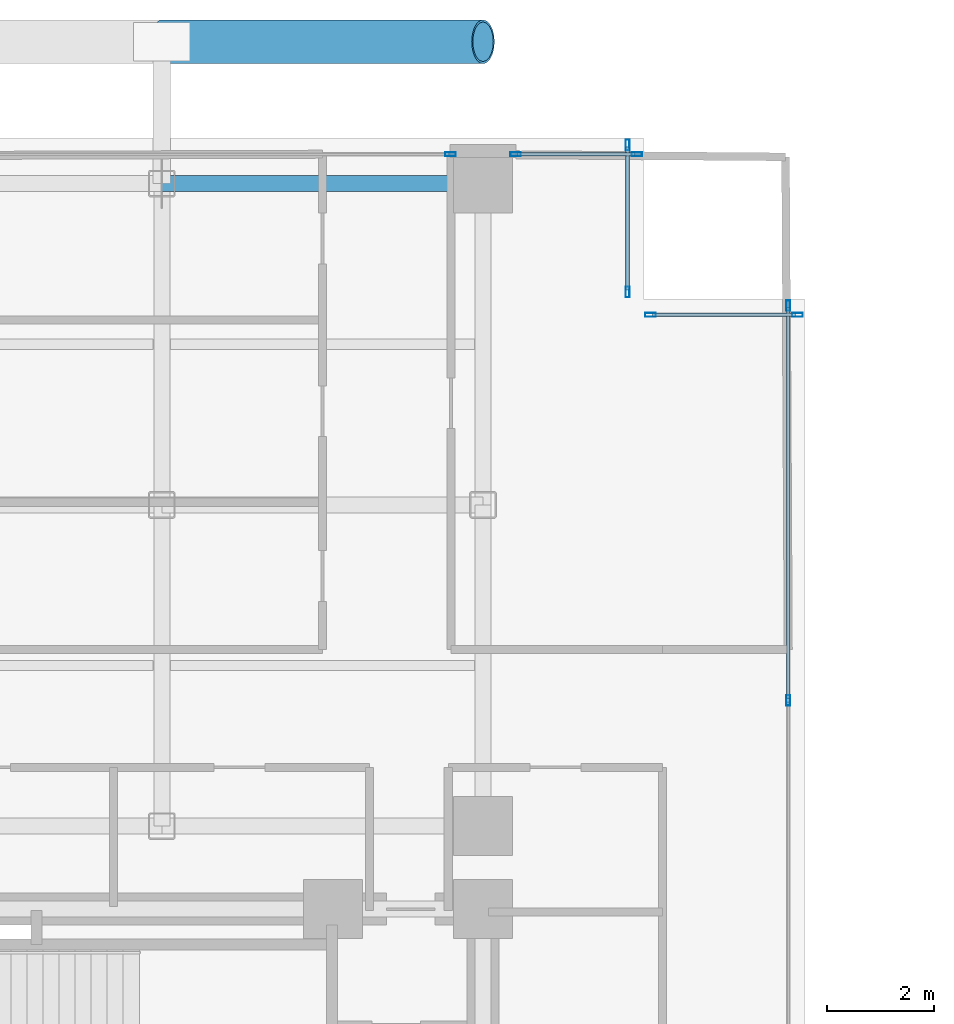
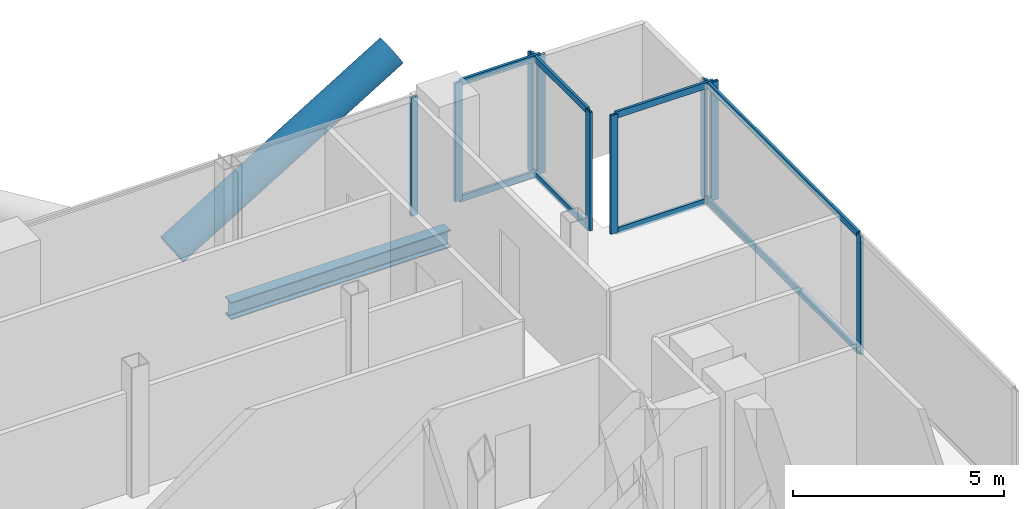
# One storey, part 16 of 24: 18 members, 1 beam, 5 elements without a shape of their own.
"""IFC4 building model written with IfcOpenShell, lengths in metres."""

from ifc_helpers import new_model, si_unit, direction, frame, origin, origin_2d, place, context, subcontext, project, spatial, hollow_rectangle, hollow_circle, i_section, extrude, material, layer, layer_set, material_profile, profile_set, type_object, element, aggregate, save


model = new_model("IFC4")

# Units and contexts
model_context = context("Model", 3, precision=1e-05, world=origin(), true_north=direction((0.0, 1.0)))
body_context = subcontext(model_context, "Body", "Model", "MODEL_VIEW")
ifc_project = project(units=[si_unit("LENGTHUNIT", "METRE"), si_unit("AREAUNIT", "SQUARE_METRE"), si_unit("VOLUMEUNIT", "CUBIC_METRE"), si_unit("PLANEANGLEUNIT", "RADIAN"), si_unit("MASSUNIT", "GRAM", prefix="KILO"), si_unit("THERMODYNAMICTEMPERATUREUNIT", "KELVIN"), si_unit("POWERUNIT", "WATT")], contexts=[model_context])

# Site, building, storey
site_placement = place(None, origin())
site = spatial("IfcSite", under=ifc_project, at=site_placement, CompositionType="ELEMENT")
building_placement = place(site_placement, origin())
building = spatial("IfcBuilding", under=site, at=building_placement, Name="Svarakhadi Broadcast Tower", CompositionType="ELEMENT")
storey_placement = place(building_placement, frame((0.0, 0.0, 160.64990234375)))
storey = spatial("IfcBuildingStorey", under=building, at=storey_placement, Name="L39", CompositionType="ELEMENT", Elevation=160.64990234375)

# Curtain wall, member
ifc_material_1 = material(Name="Anodised Bronze Aluminium AA 6063-T6", Category="aluminium")
ifc_layer = layer(ifc_material_1, 0.199951171875)
ifc_layer_set = layer_set([ifc_layer], Name="Anodised Bronze Aluminium AA 6063-T6")
curtain_wall_type = type_object("IfcCurtainWallType", Name="CW_Sys_03", PredefinedType="NOTDEFINED", material=ifc_layer_set)
curtain_wall_1_placement = place(storey_placement, origin())
curtain_wall_1 = element("IfcCurtainWall", 1, at=curtain_wall_1_placement, inside=storey, type_object=curtain_wall_type, Name="L39 Unitised Facade Curtain Wall 06 Bay 2", PredefinedType="NOTDEFINED")
ifc_material_profile_1 = material_profile(ifc_material_1, hollow_rectangle(XDim=0.074951171875, YDim=0.199951171875, WallThickness=0.005615234375, at=origin_2d()), Name="ALU MULLION 200x75x6")
ifc_profile_set_1 = profile_set([ifc_material_profile_1], Name="Anodised Bronze Aluminium AA 6063-T6")
member_type_1 = type_object("IfcMemberType", Name="CW_Sys_03_Mul", PredefinedType="MULLION", material=ifc_profile_set_1)
member_1_placement = place(storey_placement, frame((17.392578125, 41.699951171875, 0.0), z_axis=(0.0, 0.0, 1.0), x_axis=(0.0, 1.0, 0.0)))
member_1 = element("IfcMember", 2, at=member_1_placement, type_object=member_type_1, Name="CW-03 mullion 2", PredefinedType="MULLION", context=body_context, shape_type="SweptSolid", body=[
    extrude(hollow_rectangle(XDim=0.074951171875, YDim=0.199951171875, WallThickness=0.005615234375, at=origin_2d()), origin(), (0.0, 0.0, 1.0), 3.425048828125),
])
aggregate(curtain_wall_1, [member_1])

# Curtain wall, members
curtain_wall_2_placement = place(storey_placement, origin())
curtain_wall_2 = element("IfcCurtainWall", 3, at=curtain_wall_2_placement, inside=storey, type_object=curtain_wall_type, Name="L39 Unitised Facade Curtain Wall 06 Bay 3", PredefinedType="NOTDEFINED")
member_2_placement = place(storey_placement, frame((18.607421875, 41.699951171875, 0.0), z_axis=(0.0, 0.0, 1.0), x_axis=(0.0, 1.0, 0.0)))
member_2 = element("IfcMember", 4, at=member_2_placement, type_object=member_type_1, Name="CW-03 mullion 1", PredefinedType="MULLION", context=body_context, shape_type="SweptSolid", body=[
    extrude(hollow_rectangle(XDim=0.074951171875, YDim=0.199951171875, WallThickness=0.005615234375, at=origin_2d()), origin(), (0.0, 0.0, 1.0), 3.425048828125),
])
member_3_placement = place(storey_placement, frame((20.87255859375, 41.699951171875, 0.0), z_axis=(0.0, 0.0, 1.0), x_axis=(0.0, 1.0, 0.0)))
member_3 = element("IfcMember", 5, at=member_3_placement, type_object=member_type_1, Name="CW-03 mullion 2", PredefinedType="MULLION", context=body_context, shape_type="SweptSolid", body=[
    extrude(hollow_rectangle(XDim=0.074951171875, YDim=0.199951171875, WallThickness=0.005615234375, at=origin_2d()), origin(), (0.0, 0.0, 1.0), 3.425048828125),
])

curtain_wall_3_placement = place(storey_placement, origin())
curtain_wall_3 = element("IfcCurtainWall", 6, at=curtain_wall_3_placement, inside=storey, type_object=curtain_wall_type, Name="L39 Unitised Facade Curtain Wall 07", PredefinedType="NOTDEFINED")
member_4_placement = place(storey_placement, frame((20.699951171875, 41.87255859375, 0.0), z_axis=(0.0, 0.0, 1.0), x_axis=(1.0, 0.0, 0.0)))
member_4 = element("IfcMember", 7, at=member_4_placement, type_object=member_type_1, Name="CW-03 mullion 1", PredefinedType="MULLION", context=body_context, shape_type="SweptSolid", body=[
    extrude(hollow_rectangle(XDim=0.074951171875, YDim=0.199951171875, WallThickness=0.005615234375, at=origin_2d()), origin(), (0.0, 0.0, 1.0), 3.425048828125),
])
member_5_placement = place(storey_placement, frame((20.699951171875, 39.12744140625, 0.0), z_axis=(0.0, 0.0, 1.0), x_axis=(1.0, 0.0, 0.0)))
member_5 = element("IfcMember", 8, at=member_5_placement, type_object=member_type_1, Name="CW-03 mullion 2", PredefinedType="MULLION", context=body_context, shape_type="SweptSolid", body=[
    extrude(hollow_rectangle(XDim=0.074951171875, YDim=0.199951171875, WallThickness=0.005615234375, at=origin_2d()), origin(), (0.0, 0.0, 1.0), 3.425048828125),
])

curtain_wall_4_placement = place(storey_placement, origin())
curtain_wall_4 = element("IfcCurtainWall", 9, at=curtain_wall_4_placement, inside=storey, type_object=curtain_wall_type, Name="L39 Unitised Facade Curtain Wall 08", PredefinedType="NOTDEFINED")
member_6_placement = place(storey_placement, frame((21.12744140625, 38.699951171875, 0.0), z_axis=(0.0, 0.0, 1.0), x_axis=(0.0, 1.0, 0.0)))
member_6 = element("IfcMember", 10, at=member_6_placement, type_object=member_type_1, Name="CW-03 mullion 1", PredefinedType="MULLION", context=body_context, shape_type="SweptSolid", body=[
    extrude(hollow_rectangle(XDim=0.074951171875, YDim=0.199951171875, WallThickness=0.005615234375, at=origin_2d()), origin(), (0.0, 0.0, 1.0), 3.425048828125),
])
member_7_placement = place(storey_placement, frame((23.87255859375, 38.699951171875, 0.0), z_axis=(0.0, 0.0, 1.0), x_axis=(0.0, 1.0, 0.0)))
member_7 = element("IfcMember", 11, at=member_7_placement, type_object=member_type_1, Name="CW-03 mullion 2", PredefinedType="MULLION", context=body_context, shape_type="SweptSolid", body=[
    extrude(hollow_rectangle(XDim=0.074951171875, YDim=0.199951171875, WallThickness=0.005615234375, at=origin_2d()), origin(), (0.0, 0.0, 1.0), 3.425048828125),
])

curtain_wall_5_placement = place(storey_placement, origin())
curtain_wall_5 = element("IfcCurtainWall", 12, at=curtain_wall_5_placement, inside=storey, type_object=curtain_wall_type, Name="L39 Unitised Facade Curtain Wall 09", PredefinedType="NOTDEFINED")
member_8_placement = place(storey_placement, frame((23.699951171875, 38.87255859375, 0.0), z_axis=(0.0, 0.0, 1.0), x_axis=(1.0, 0.0, 0.0)))
member_8 = element("IfcMember", 13, at=member_8_placement, type_object=member_type_1, Name="CW-03 mullion 1", PredefinedType="MULLION", context=body_context, shape_type="SweptSolid", body=[
    extrude(hollow_rectangle(XDim=0.074951171875, YDim=0.199951171875, WallThickness=0.005615234375, at=origin_2d()), origin(), (0.0, 0.0, 1.0), 3.425048828125),
])
member_9_placement = place(storey_placement, frame((23.699951171875, 31.5, 0.0), z_axis=(0.0, 0.0, 1.0), x_axis=(1.0, 0.0, 0.0)))
member_9 = element("IfcMember", 14, at=member_9_placement, type_object=member_type_1, Name="CW-03 mullion 2", PredefinedType="MULLION", context=body_context, shape_type="SweptSolid", body=[
    extrude(hollow_rectangle(XDim=0.074951171875, YDim=0.199951171875, WallThickness=0.005615234375, at=origin_2d()), origin(), (0.0, 0.0, 1.0), 3.425048828125),
])

# Member
ifc_material_profile_2 = material_profile(ifc_material_1, hollow_rectangle(XDim=0.070068359375, YDim=0.18505859375, WallThickness=0.0048828125, at=origin_2d()), Name="ALU TRANSOM 185x70x5")
ifc_profile_set_2 = profile_set([ifc_material_profile_2], Name="Anodised Bronze Aluminium AA 6063-T6")
member_type_2 = type_object("IfcMemberType", Name="CW_Sys_03_Trn", PredefinedType="USERDEFINED", material=ifc_profile_set_2)
member_10_placement = place(storey_placement, frame((18.64501953125, 41.699951171875, 0.03515625), z_axis=(1.0, 0.0, 0.0), x_axis=(0.0, 1.0, 0.0)))
member_10 = element("IfcMember", 15, at=member_10_placement, type_object=member_type_2, Name="CW-03 transom 1.1", ObjectType="TRANSOM", PredefinedType="USERDEFINED", context=body_context, shape_type="SweptSolid", body=[
    extrude(hollow_rectangle(XDim=0.070068359375, YDim=0.18505859375, WallThickness=0.0048828125, at=origin_2d()), origin(), (0.0, 0.0, 1.0), 2.18994140625),
])

member_11_placement = place(storey_placement, frame((18.64501953125, 41.699951171875, 3.39013671875), z_axis=(1.0, 0.0, 0.0), x_axis=(0.0, 1.0, 0.0)))
member_11 = element("IfcMember", 16, at=member_11_placement, type_object=member_type_2, Name="CW-03 transom 1.2", ObjectType="TRANSOM", PredefinedType="USERDEFINED", context=body_context, shape_type="SweptSolid", body=[
    extrude(hollow_rectangle(XDim=0.070068359375, YDim=0.18505859375, WallThickness=0.0048828125, at=origin_2d()), origin(), (0.0, 0.0, 1.0), 2.18994140625),
])

aggregate(curtain_wall_2, [member_2, member_3, member_10, member_11])

member_12_placement = place(storey_placement, frame((20.699951171875, 41.8349609375, 0.03515625), z_axis=(0.0, -1.0, 0.0), x_axis=(1.0, 0.0, 0.0)))
member_12 = element("IfcMember", 17, at=member_12_placement, type_object=member_type_2, Name="CW-03 transom 1.1", ObjectType="TRANSOM", PredefinedType="USERDEFINED", context=body_context, shape_type="SweptSolid", body=[
    extrude(hollow_rectangle(XDim=0.070068359375, YDim=0.18505859375, WallThickness=0.0048828125, at=origin_2d()), origin(), (0.0, 0.0, 1.0), 2.669921875),
])

member_13_placement = place(storey_placement, frame((20.699951171875, 41.8349609375, 3.39013671875), z_axis=(0.0, -1.0, 0.0), x_axis=(1.0, 0.0, 0.0)))
member_13 = element("IfcMember", 18, at=member_13_placement, type_object=member_type_2, Name="CW-03 transom 1.2", ObjectType="TRANSOM", PredefinedType="USERDEFINED", context=body_context, shape_type="SweptSolid", body=[
    extrude(hollow_rectangle(XDim=0.070068359375, YDim=0.18505859375, WallThickness=0.0048828125, at=origin_2d()), origin(), (0.0, 0.0, 1.0), 2.669921875),
])

aggregate(curtain_wall_3, [member_4, member_5, member_12, member_13])

member_14_placement = place(storey_placement, frame((21.1650390625, 38.699951171875, 0.03515625), z_axis=(1.0, 0.0, 0.0), x_axis=(0.0, 1.0, 0.0)))
member_14 = element("IfcMember", 19, at=member_14_placement, type_object=member_type_2, Name="CW-03 transom 1.1", ObjectType="TRANSOM", PredefinedType="USERDEFINED", context=body_context, shape_type="SweptSolid", body=[
    extrude(hollow_rectangle(XDim=0.070068359375, YDim=0.18505859375, WallThickness=0.0048828125, at=origin_2d()), origin(), (0.0, 0.0, 1.0), 2.669921875),
])

member_15_placement = place(storey_placement, frame((21.1650390625, 38.699951171875, 3.39013671875), z_axis=(1.0, 0.0, 0.0), x_axis=(0.0, 1.0, 0.0)))
member_15 = element("IfcMember", 20, at=member_15_placement, type_object=member_type_2, Name="CW-03 transom 1.2", ObjectType="TRANSOM", PredefinedType="USERDEFINED", context=body_context, shape_type="SweptSolid", body=[
    extrude(hollow_rectangle(XDim=0.070068359375, YDim=0.18505859375, WallThickness=0.0048828125, at=origin_2d()), origin(), (0.0, 0.0, 1.0), 2.669921875),
])

aggregate(curtain_wall_4, [member_6, member_7, member_14, member_15])

member_16_placement = place(storey_placement, frame((23.699951171875, 38.8349609375, 0.03515625), z_axis=(0.0, -1.0, 0.0), x_axis=(1.0, 0.0, 0.0)))
member_16 = element("IfcMember", 21, at=member_16_placement, type_object=member_type_2, Name="CW-03 transom 1.1", ObjectType="TRANSOM", PredefinedType="USERDEFINED", context=body_context, shape_type="SweptSolid", body=[
    extrude(hollow_rectangle(XDim=0.070068359375, YDim=0.18505859375, WallThickness=0.0048828125, at=origin_2d()), origin(), (0.0, 0.0, 1.0), 7.29736328125),
])

member_17_placement = place(storey_placement, frame((23.699951171875, 38.8349609375, 3.39013671875), z_axis=(0.0, -1.0, 0.0), x_axis=(1.0, 0.0, 0.0)))
member_17 = element("IfcMember", 22, at=member_17_placement, type_object=member_type_2, Name="CW-03 transom 1.2", ObjectType="TRANSOM", PredefinedType="USERDEFINED", context=body_context, shape_type="SweptSolid", body=[
    extrude(hollow_rectangle(XDim=0.070068359375, YDim=0.18505859375, WallThickness=0.0048828125, at=origin_2d()), origin(), (0.0, 0.0, 1.0), 7.29736328125),
])

aggregate(curtain_wall_5, [member_8, member_9, member_16, member_17])

ifc_material_2 = material(Name="Steel S460ML (IS 2062 E450BR)", Category="steel")
ifc_material_profile_3 = material_profile(ifc_material_2, hollow_circle(Radius=0.406494140625, WallThickness=0.0400390625, at=origin_2d()), Name="CHS 813x40")
ifc_profile_set_3 = profile_set([ifc_material_profile_3], Name="Steel S460ML (IS 2062 E450BR)")
member_type_3 = type_object("IfcMemberType", Name="Exo_Brace_CHS813", PredefinedType="BRACE", material=ifc_profile_set_3)
member_18_placement = place(storey_placement, frame((12.0, 43.800048828125, -0.386962890625), z_axis=(0.854326743865, 0.0, 0.519736293438), x_axis=(0.0, 1.0, 0.0)))
element("IfcMember", 23, at=member_18_placement, inside=storey, type_object=member_type_3, Name="L39 Exposed Bronze Exoskeleton Diagonal N09", PredefinedType="BRACE", context=body_context, shape_type="SweptSolid", body=[
    extrude(hollow_circle(Radius=0.406494140625, WallThickness=0.0400390625, at=origin_2d()), origin(), (0.0, 0.0, 1.0), 7.023193359375),
])

# Beam
ifc_material_3 = material(Name="Steel S355J2 (IS 2062 E350C)", Category="steel")
ifc_material_profile_4 = material_profile(ifc_material_3, i_section(OverallWidth=0.300048828125, OverallDepth=0.5, WebThickness=0.014404296875, FlangeThickness=0.028076171875, FilletRadius=0.027099609375, at=origin_2d()), Name="WPB 500x300x187")
ifc_profile_set_4 = profile_set([ifc_material_profile_4], Name="Steel S355J2 (IS 2062 E350C)")
beam_type = type_object("IfcBeamType", Name="Girder_WPB500", PredefinedType="USERDEFINED", material=ifc_profile_set_4)
beam_placement = place(storey_placement, frame((12.0, 41.14990234375, -0.474853515625), z_axis=(1.0, 0.0, 0.0), x_axis=(0.0, 1.0, 0.0)))
element("IfcBeam", 24, at=beam_placement, inside=storey, type_object=beam_type, Name="L39 Primary E-W Girder G039", ObjectType="GIRDER", PredefinedType="USERDEFINED", context=body_context, shape_type="SweptSolid", body=[
    extrude(i_section(OverallWidth=0.300048828125, OverallDepth=0.5, WebThickness=0.014404296875, FlangeThickness=0.028076171875, FilletRadius=0.027099609375, at=origin_2d()), origin(), (0.0, 0.0, 1.0), 6.0),
])

save(model, "model.ifc")
